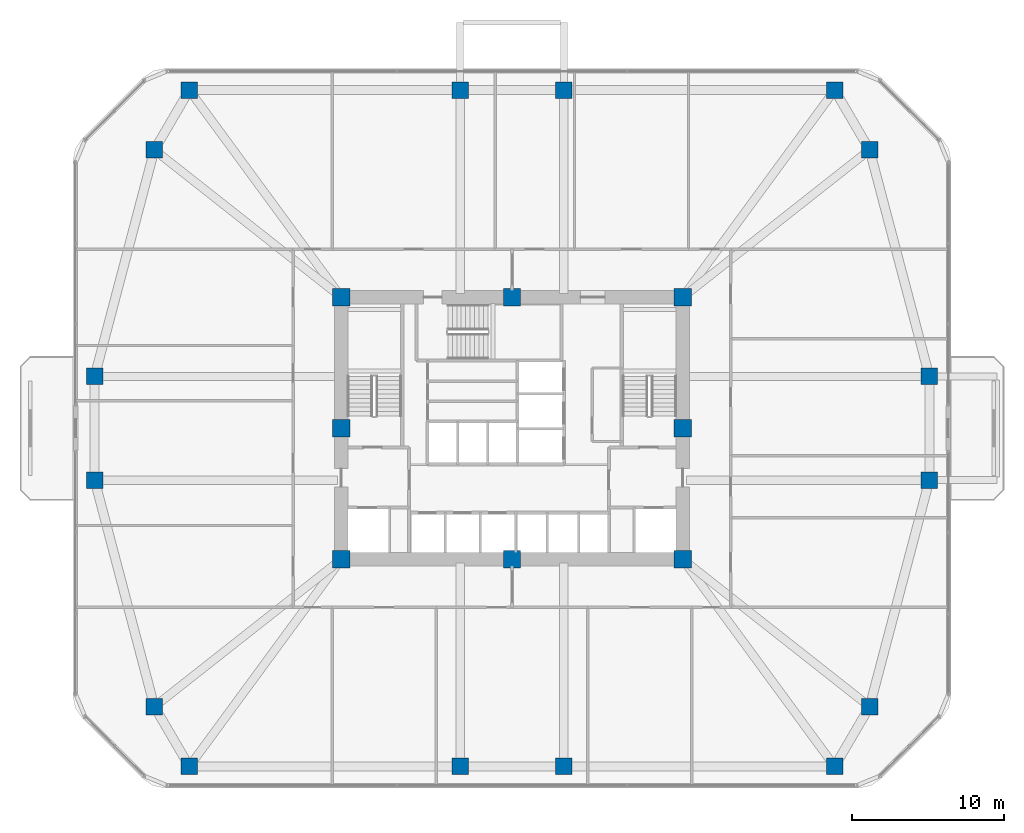
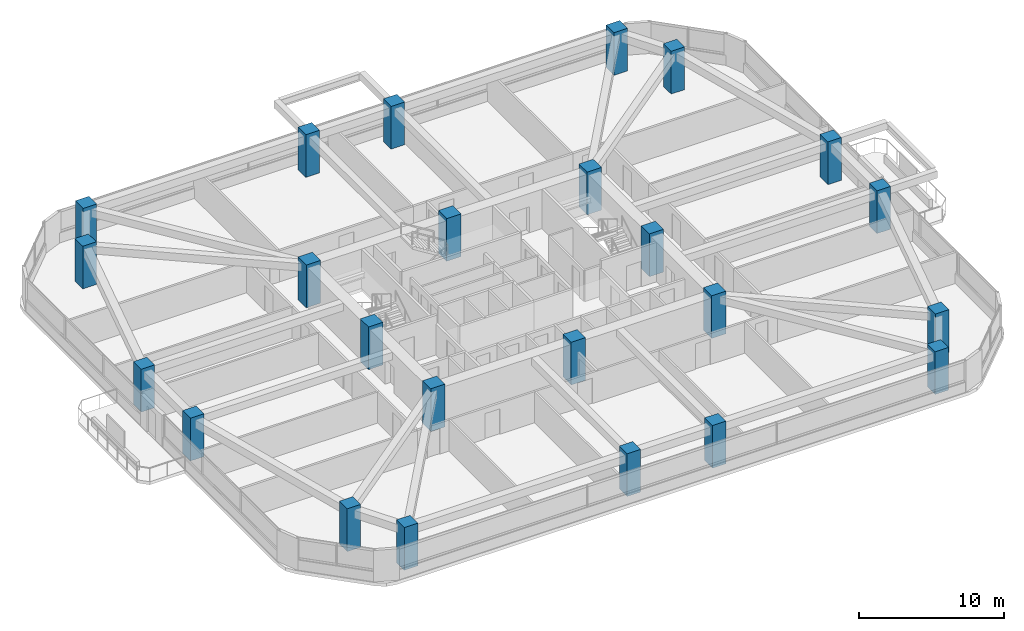
# One storey, part 1 of 15: 24 columns.
"""IFC4 building model written with IfcOpenShell, lengths in metres."""

from ifc_helpers import new_model, si_unit, derived_unit, direction, frame, origin, origin_2d, place, context, subcontext, project, spatial, rectangle, extrude, material, material_profile, profile_set, type_object, element, save


model = new_model("IFC4")

# Units and contexts
model_context = context("Model", 3, precision=1e-05, world=origin(), true_north=direction((0.0, 1.0)))
body_context = subcontext(model_context, "Body", "Model", "MODEL_VIEW")
ifc_project = project(units=[si_unit("LENGTHUNIT", "METRE"), si_unit("AREAUNIT", "SQUARE_METRE"), si_unit("VOLUMEUNIT", "CUBIC_METRE"), si_unit("PLANEANGLEUNIT", "RADIAN"), si_unit("MASSUNIT", "GRAM", prefix="KILO"), derived_unit("THERMALTRANSMITTANCEUNIT", [(si_unit("POWERUNIT", "WATT"), 1), (si_unit("LENGTHUNIT", "METRE"), -2), (si_unit("THERMODYNAMICTEMPERATUREUNIT", "KELVIN"), -1)])], contexts=[model_context])

# Site, building, storey
site_placement = place(None, origin())
site = spatial("IfcSite", under=ifc_project, at=site_placement, CompositionType="ELEMENT")
building_placement = place(site_placement, origin())
building = spatial("IfcBuilding", under=site, at=building_placement, Name="Koralith Skygarden Medical Center", CompositionType="ELEMENT")
storey_placement = place(building_placement, frame((0.0, 0.0, 41.93994140625)))
storey = spatial("IfcBuildingStorey", under=building, at=storey_placement, Name="L10", CompositionType="ELEMENT", Elevation=41.93994140625)

# Columns
ifc_material = material(Name="Concrete C70/85", Category="concrete")
ifc_material_profile_1 = material_profile(ifc_material, rectangle(XDim=1.139892578125, YDim=1.139892578125, at=origin_2d()), Name="RC1140X1140")
ifc_profile_set_1 = profile_set([ifc_material_profile_1], Name="Concrete C70/85")
column_type_1 = type_object("IfcColumnType", Name="Core Mega-Column C70 RC1140", PredefinedType="COLUMN", material=ifc_profile_set_1)
for number, where, z_axis, x_axis, name in (
    (1, (25.800048828125, 17.300048828125, 0.0), (0.0, 0.0, 1.0), (1.0, 0.0, 0.0), "L10 Core Column CC-01"),
    (2, (37.0, 17.300048828125, 0.0), (0.0, 0.0, 1.0), (1.0, 0.0, 0.0), "L10 Core Column CC-02"),
    (3, (48.199951171875, 17.300048828125, 0.0), (0.0, 0.0, 1.0), (1.0, 0.0, 0.0), "L10 Core Column CC-03"),
    (4, (48.199951171875, 25.89990234375, 0.0), (0.0, 0.0, 1.0), (1.0, 0.0, 0.0), "L10 Core Column CC-04"),
    (5, (48.199951171875, 34.5, 0.0), (0.0, 0.0, 1.0), (1.0, 0.0, 0.0), "L10 Core Column CC-05"),
    (6, (37.0, 34.5, 0.0), (0.0, 0.0, 1.0), (1.0, 0.0, 0.0), "L10 Core Column CC-06"),
    (7, (25.800048828125, 34.5, 0.0), (0.0, 0.0, 1.0), (1.0, 0.0, 0.0), "L10 Core Column CC-07"),
    (8, (25.800048828125, 25.89990234375, 0.0), (0.0, 0.0, 1.0), (1.0, 0.0, 0.0), "L10 Core Column CC-08"),
):
    element("IfcColumn", number, at=place(storey_placement, frame(where, z_axis=z_axis, x_axis=x_axis)), inside=storey, type_object=column_type_1, Name=name, PredefinedType="COLUMN", context=body_context, shape_type="SweptSolid", body=[
        extrude(rectangle(XDim=1.139892578125, YDim=1.139892578125, at=origin_2d()), origin(), (0.0, 0.0, 1.0), 3.60009765625),
    ])
ifc_material_profile_2 = material_profile(ifc_material, rectangle(XDim=1.080078125, YDim=1.080078125, at=origin_2d()), Name="RC1080X1080")
ifc_profile_set_2 = profile_set([ifc_material_profile_2], Name="Concrete C70/85")
column_type_2 = type_object("IfcColumnType", Name="Zone 1 Octagonal Mega-Column C70 RC1080", PredefinedType="COLUMN", material=ifc_profile_set_2)
for number, where, z_axis, x_axis, name in (
    (9, (9.6201171875, 22.5, 0.0), (0.0, 0.0, 1.0), (1.0, 0.0, 0.0), "L10 Perimeter Mega-Column MC-01"),
    (10, (13.5400390625, 7.639892578125, 0.0), (0.0, 0.0, 1.0), (1.0, 0.0, 0.0), "L10 Perimeter Mega-Column MC-02"),
    (11, (15.83203125, 3.719970703125, 0.0), (0.0, 0.0, 1.0), (1.0, 0.0, 0.0), "L10 Perimeter Mega-Column MC-03"),
    (12, (33.60009765625, 3.719970703125, 0.0), (0.0, 0.0, 1.0), (1.0, 0.0, 0.0), "L10 Perimeter Mega-Column MC-04"),
    (13, (40.39990234375, 3.719970703125, 0.0), (0.0, 0.0, 1.0), (1.0, 0.0, 0.0), "L10 Perimeter Mega-Column MC-05"),
    (14, (58.16796875, 3.719970703125, 0.0), (0.0, 0.0, 1.0), (1.0, 0.0, 0.0), "L10 Perimeter Mega-Column MC-06"),
    (15, (60.4599609375, 7.639892578125, 0.0), (0.0, 0.0, 1.0), (1.0, 0.0, 0.0), "L10 Perimeter Mega-Column MC-07"),
    (16, (64.3798828125, 22.5, 0.0), (0.0, 0.0, 1.0), (1.0, 0.0, 0.0), "L10 Perimeter Mega-Column MC-08"),
    (17, (64.3798828125, 29.300048828125, 0.0), (0.0, 0.0, 1.0), (1.0, 0.0, 0.0), "L10 Perimeter Mega-Column MC-09"),
    (18, (60.4599609375, 44.159912109375, 0.0), (0.0, 0.0, 1.0), (1.0, 0.0, 0.0), "L10 Perimeter Mega-Column MC-10"),
    (19, (58.16796875, 48.080078125, 0.0), (0.0, 0.0, 1.0), (1.0, 0.0, 0.0), "L10 Perimeter Mega-Column MC-11"),
    (20, (40.39990234375, 48.080078125, 0.0), (0.0, 0.0, 1.0), (1.0, 0.0, 0.0), "L10 Perimeter Mega-Column MC-12"),
    (21, (33.60009765625, 48.080078125, 0.0), (0.0, 0.0, 1.0), (1.0, 0.0, 0.0), "L10 Perimeter Mega-Column MC-13"),
    (22, (15.83203125, 48.080078125, 0.0), (0.0, 0.0, 1.0), (1.0, 0.0, 0.0), "L10 Perimeter Mega-Column MC-14"),
    (23, (13.5400390625, 44.159912109375, 0.0), (0.0, 0.0, 1.0), (1.0, 0.0, 0.0), "L10 Perimeter Mega-Column MC-15"),
    (24, (9.6201171875, 29.300048828125, 0.0), (0.0, 0.0, 1.0), (1.0, 0.0, 0.0), "L10 Perimeter Mega-Column MC-16"),
):
    element("IfcColumn", number, at=place(storey_placement, frame(where, z_axis=z_axis, x_axis=x_axis)), inside=storey, type_object=column_type_2, Name=name, PredefinedType="COLUMN", context=body_context, shape_type="SweptSolid", body=[
        extrude(rectangle(XDim=1.080078125, YDim=1.080078125, at=origin_2d()), origin(), (0.0, 0.0, 1.0), 3.60009765625),
    ])

save(model, "model.ifc")
